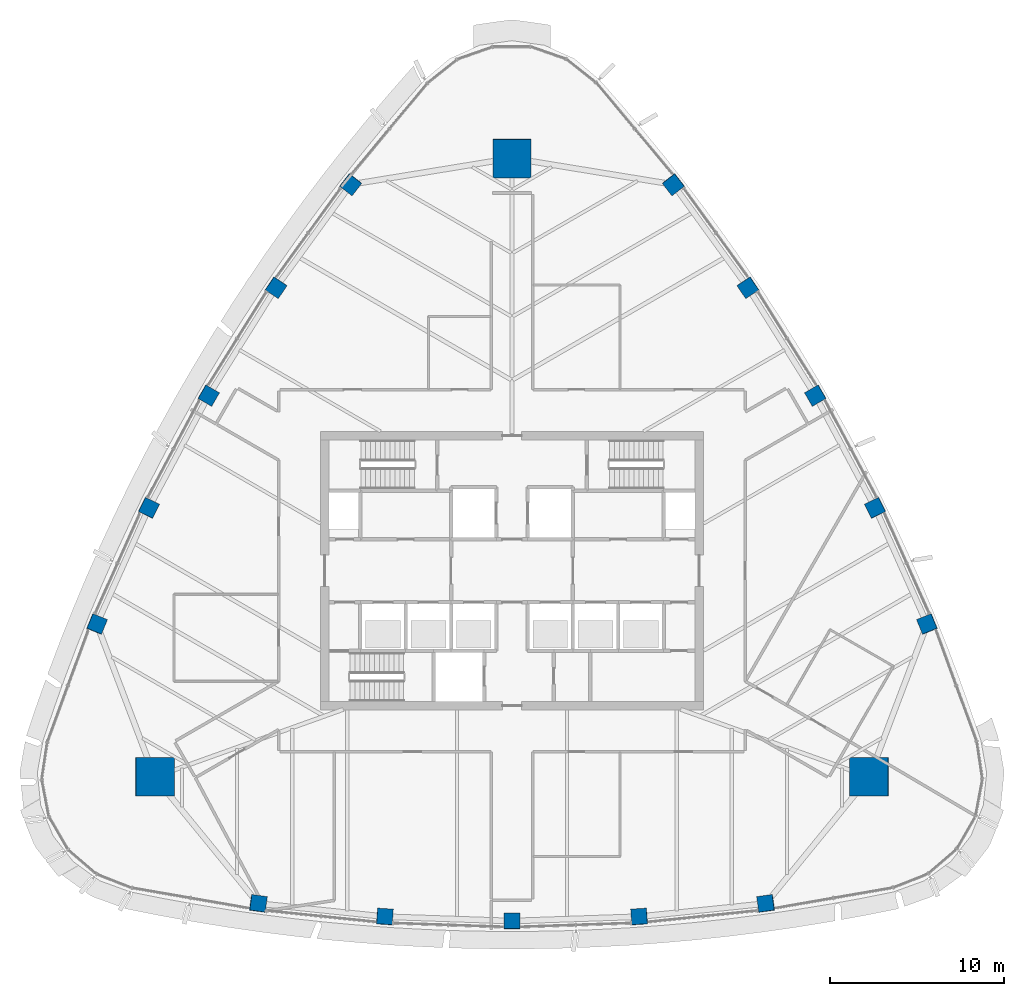
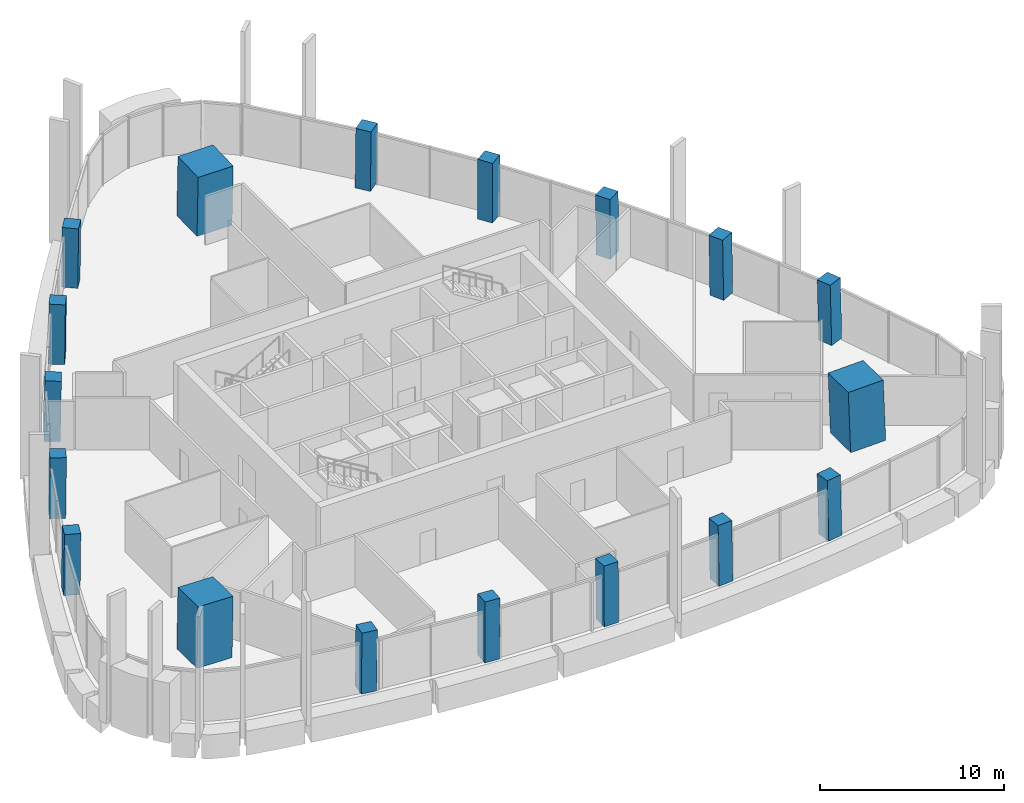
# One storey, part 1 of 19: 18 columns.
"""IFC4 building model written with IfcOpenShell, lengths in metres."""

from ifc_helpers import new_model, si_unit, direction, frame, origin, origin_2d, place, context, subcontext, project, spatial, rectangle, extrude, material, material_profile, profile_set, type_object, element, save


model = new_model("IFC4")

# Units and contexts
model_context = context("Model", 3, precision=1e-05, world=origin(), true_north=direction((0.0, 1.0)))
body_context = subcontext(model_context, "Body", "Model", "MODEL_VIEW")
ifc_project = project(units=[si_unit("LENGTHUNIT", "METRE"), si_unit("AREAUNIT", "SQUARE_METRE"), si_unit("VOLUMEUNIT", "CUBIC_METRE"), si_unit("PLANEANGLEUNIT", "RADIAN"), si_unit("MASSUNIT", "GRAM", prefix="KILO")], contexts=[model_context])

# Site, building, storey
site_placement = place(None, origin())
site = spatial("IfcSite", under=ifc_project, at=site_placement, CompositionType="ELEMENT")
building_placement = place(site_placement, origin())
building = spatial("IfcBuilding", under=site, at=building_placement, Name="Sierra Prisma Convention Tower", CompositionType="ELEMENT")
storey_placement = place(building_placement, frame((0.0, 0.0, 295.0)))
storey = spatial("IfcBuildingStorey", under=building, at=storey_placement, Name="L67", CompositionType="ELEMENT", Elevation=295.0)

# Columns
ifc_material_1 = material(Name="Concrete C50/60", Category="concrete")
ifc_material_profile_1 = material_profile(ifc_material_1, rectangle(XDim=2.199951171875, YDim=2.199951171875, at=origin_2d()), Name="Mega column RC 2200 C50/60")
ifc_profile_set_1 = profile_set([ifc_material_profile_1], Name="Concrete C50/60")
column_type_1 = type_object("IfcColumnType", Name="Mega column RC 2200 C50/60", PredefinedType="COLUMN", material=ifc_profile_set_1)
for number, where, z_axis, x_axis, name in (
    (1, (20.510986328125, -11.842041015625, 0.0), (-0.027695790401, 0.015983033227, 0.999488612163), (0.999616398022, 0.00044283261, 0.027692249912), "Mega column SE L67"),
    (2, (0.0, 23.68408203125, 0.0), (0.0, -0.032027018848, 0.999487003449), (1.0, 0.0, 0.0), "Mega column N L67"),
    (3, (-20.510986328125, -11.842041015625, 0.0), (0.027695790401, 0.015983033227, 0.999488612163), (0.999616398022, -0.00044283261, -0.027692249912), "Mega column SW L67"),
):
    element("IfcColumn", number, at=place(storey_placement, frame(where, z_axis=z_axis, x_axis=x_axis)), inside=storey, type_object=column_type_1, Name=name, PredefinedType="COLUMN", context=body_context, shape_type="SweptSolid", body=[
        extrude(rectangle(XDim=2.199951171875, YDim=2.199951171875, at=origin_2d()), origin(), (0.0, 0.0, 1.0), 4.001953125),
    ])
ifc_material_2 = material(Name="Concrete C50/60", Category="concrete")
ifc_material_profile_2 = material_profile(ifc_material_2, rectangle(XDim=0.89990234375, YDim=0.89990234375, at=origin_2d()), Name="Perimeter column RC 900 C50/60")
ifc_profile_set_2 = profile_set([ifc_material_profile_2], Name="Concrete C50/60")
column_type_2 = type_object("IfcColumnType", Name="Perimeter column RC 900 C50/60", PredefinedType="COLUMN", material=ifc_profile_set_2)
column_1_placement = place(storey_placement, frame((-14.57177734375, -19.106201171875, 0.0), z_axis=(0.017452456582, 0.010373837829, 0.999793876381), x_axis=(-0.990378020891, 0.137476485658, 0.015861640101)))
element("IfcColumn", 4, at=column_1_placement, inside=storey, type_object=column_type_2, Name="Perimeter column S-1 L67", PredefinedType="COLUMN", context=body_context, shape_type="SweptSolid", body=[
    extrude(rectangle(XDim=0.89990234375, YDim=0.89990234375, at=origin_2d()), origin(), (0.0, 0.0, 1.0), 4.000732421875),
])
column_2_placement = place(storey_placement, frame((-7.30322265625, -19.85986328125, 0.0), z_axis=(0.008727150594, 0.011168311599, 0.999899547784), x_axis=(-0.997591359103, 0.068909208886, 0.007937327827)))
element("IfcColumn", 5, at=column_2_placement, inside=storey, type_object=column_type_2, Name="Perimeter column S-2 L67", PredefinedType="COLUMN", context=body_context, shape_type="SweptSolid", body=[
    extrude(rectangle(XDim=0.89990234375, YDim=0.89990234375, at=origin_2d()), origin(), (0.0, 0.0, 1.0), 4.00048828125),
])
column_3_placement = place(storey_placement, frame((0.0, -20.111328125, 0.0), z_axis=(0.0, 0.01141283087, 0.999934871525), x_axis=(1.0, 0.0, 0.0)))
element("IfcColumn", 6, at=column_3_placement, inside=storey, type_object=column_type_2, Name="Perimeter column S-3 L67", PredefinedType="COLUMN", context=body_context, shape_type="SweptSolid", body=[
    extrude(rectangle(XDim=0.89990234375, YDim=0.89990234375, at=origin_2d()), origin(), (0.0, 0.0, 1.0), 4.000244140625),
])
column_4_placement = place(storey_placement, frame((7.30322265625, -19.85986328125, 0.0), z_axis=(-0.008727150594, 0.011168311599, 0.999899547784), x_axis=(0.997591359103, 0.068909208886, 0.007937327827)))
element("IfcColumn", 7, at=column_4_placement, inside=storey, type_object=column_type_2, Name="Perimeter column S-4 L67", PredefinedType="COLUMN", context=body_context, shape_type="SweptSolid", body=[
    extrude(rectangle(XDim=0.89990234375, YDim=0.89990234375, at=origin_2d()), origin(), (0.0, 0.0, 1.0), 4.00048828125),
])
for number, where, z_axis, x_axis, name in (
    (8, (14.57177734375, -19.106201171875, 0.0), (-0.017452456582, 0.010373837829, 0.999793876381), (0.990378020891, 0.137476485658, 0.015861640101), "Perimeter column S-5 L67"),
    (9, (23.83251953125, -3.06640625, 0.0), (-0.017696547774, 0.0099466803, 0.999793926641), (-0.376296308492, 0.926363330433, -0.015876657246), "Perimeter column NE-1 L67"),
):
    element("IfcColumn", number, at=place(storey_placement, frame(where, z_axis=z_axis, x_axis=x_axis)), inside=storey, type_object=column_type_2, Name=name, PredefinedType="COLUMN", context=body_context, shape_type="SweptSolid", body=[
        extrude(rectangle(XDim=0.89990234375, YDim=0.89990234375, at=origin_2d()), origin(), (0.0, 0.0, 1.0), 4.000732421875),
    ])
column_5_placement = place(storey_placement, frame((20.8505859375, 3.605224609375, 0.0), z_axis=(-0.013975659066, 0.001952930525, 0.999900428551), x_axis=(-0.439175149481, 0.89836678962, -0.007892996002)))
element("IfcColumn", 10, at=column_5_placement, inside=storey, type_object=column_type_2, Name="Perimeter column NE-2 L67", PredefinedType="COLUMN", context=body_context, shape_type="SweptSolid", body=[
    extrude(rectangle(XDim=0.89990234375, YDim=0.89990234375, at=origin_2d()), origin(), (0.0, 0.0, 1.0), 4.00048828125),
])
column_6_placement = place(storey_placement, frame((17.4169921875, 10.0556640625, 0.0), z_axis=(-0.009887052741, -0.005675900648, 0.999935013058), x_axis=(-0.49997556095, 0.866039512773, -2.7732311e-05)))
element("IfcColumn", 11, at=column_6_placement, inside=storey, type_object=column_type_2, Name="Perimeter column NE-3 L67", PredefinedType="COLUMN", context=body_context, shape_type="SweptSolid", body=[
    extrude(rectangle(XDim=0.89990234375, YDim=0.89990234375, at=origin_2d()), origin(), (0.0, 0.0, 1.0), 4.000244140625),
])
column_7_placement = place(storey_placement, frame((13.547607421875, 16.254638671875, 0.0), z_axis=(-0.00530952661, -0.013121243922, 0.999899815924), x_axis=(-0.558403434564, 0.829531717993, 0.007920423618)))
element("IfcColumn", 12, at=column_7_placement, inside=storey, type_object=column_type_2, Name="Perimeter column NE-4 L67", PredefinedType="COLUMN", context=body_context, shape_type="SweptSolid", body=[
    extrude(rectangle(XDim=0.89990234375, YDim=0.89990234375, at=origin_2d()), origin(), (0.0, 0.0, 1.0), 4.00048828125),
])
for number, where, z_axis, x_axis, name in (
    (13, (9.260498046875, 22.172607421875, 0.0), (-0.000244090509, -0.020259512254, 0.999794725223), (-0.61417362153, 0.789011983277, 0.015838335203), "Perimeter column NE-5 L67"),
    (14, (-9.260498046875, 22.172607421875, 0.0), (0.000244090509, -0.020259512254, 0.999794725223), (0.61417362153, 0.789011983277, 0.015838335203), "Perimeter column NW-1 L67"),
):
    element("IfcColumn", number, at=place(storey_placement, frame(where, z_axis=z_axis, x_axis=x_axis)), inside=storey, type_object=column_type_2, Name=name, PredefinedType="COLUMN", context=body_context, shape_type="SweptSolid", body=[
        extrude(rectangle(XDim=0.89990234375, YDim=0.89990234375, at=origin_2d()), origin(), (0.0, 0.0, 1.0), 4.000732421875),
    ])
column_8_placement = place(storey_placement, frame((-13.547607421875, 16.254638671875, 0.0), z_axis=(0.00530952661, -0.013121243922, 0.999899815924), x_axis=(0.558403434564, 0.829531717993, 0.007920423618)))
element("IfcColumn", 15, at=column_8_placement, inside=storey, type_object=column_type_2, Name="Perimeter column NW-2 L67", PredefinedType="COLUMN", context=body_context, shape_type="SweptSolid", body=[
    extrude(rectangle(XDim=0.89990234375, YDim=0.89990234375, at=origin_2d()), origin(), (0.0, 0.0, 1.0), 4.00048828125),
])
column_9_placement = place(storey_placement, frame((-17.4169921875, 10.0556640625, 0.0), z_axis=(0.009887052741, -0.005675900648, 0.999935013058), x_axis=(0.49997556095, 0.866039512773, -2.7732311e-05)))
element("IfcColumn", 16, at=column_9_placement, inside=storey, type_object=column_type_2, Name="Perimeter column NW-3 L67", PredefinedType="COLUMN", context=body_context, shape_type="SweptSolid", body=[
    extrude(rectangle(XDim=0.89990234375, YDim=0.89990234375, at=origin_2d()), origin(), (0.0, 0.0, 1.0), 4.000244140625),
])
column_10_placement = place(storey_placement, frame((-20.8505859375, 3.605224609375, 0.0), z_axis=(0.013975659066, 0.001952930525, 0.999900428551), x_axis=(0.439175149481, 0.89836678962, -0.007892996002)))
element("IfcColumn", 17, at=column_10_placement, inside=storey, type_object=column_type_2, Name="Perimeter column NW-4 L67", PredefinedType="COLUMN", context=body_context, shape_type="SweptSolid", body=[
    extrude(rectangle(XDim=0.89990234375, YDim=0.89990234375, at=origin_2d()), origin(), (0.0, 0.0, 1.0), 4.00048828125),
])
column_11_placement = place(storey_placement, frame((-23.83251953125, -3.06640625, 0.0), z_axis=(0.017696547774, 0.0099466803, 0.999793926641), x_axis=(0.376296308492, 0.926363330433, -0.015876657246)))
element("IfcColumn", 18, at=column_11_placement, inside=storey, type_object=column_type_2, Name="Perimeter column NW-5 L67", PredefinedType="COLUMN", context=body_context, shape_type="SweptSolid", body=[
    extrude(rectangle(XDim=0.89990234375, YDim=0.89990234375, at=origin_2d()), origin(), (0.0, 0.0, 1.0), 4.000732421875),
])

save(model, "model.ifc")
